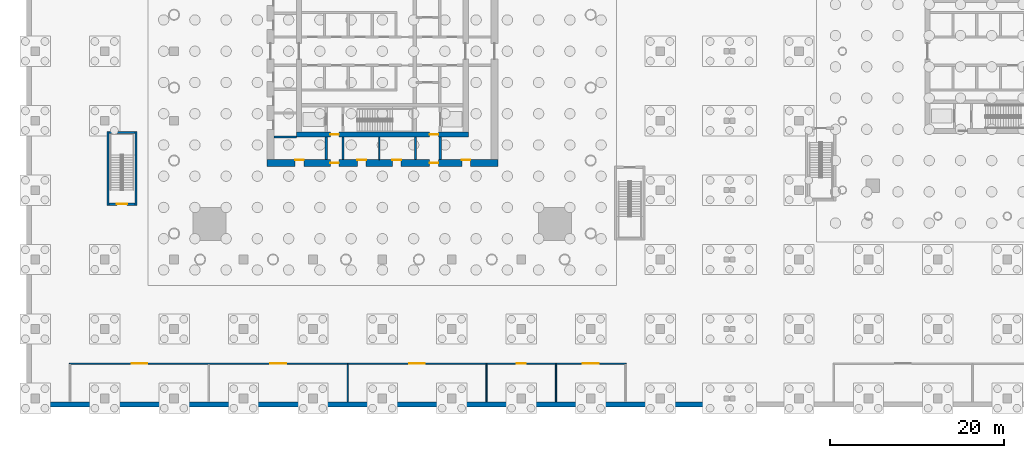
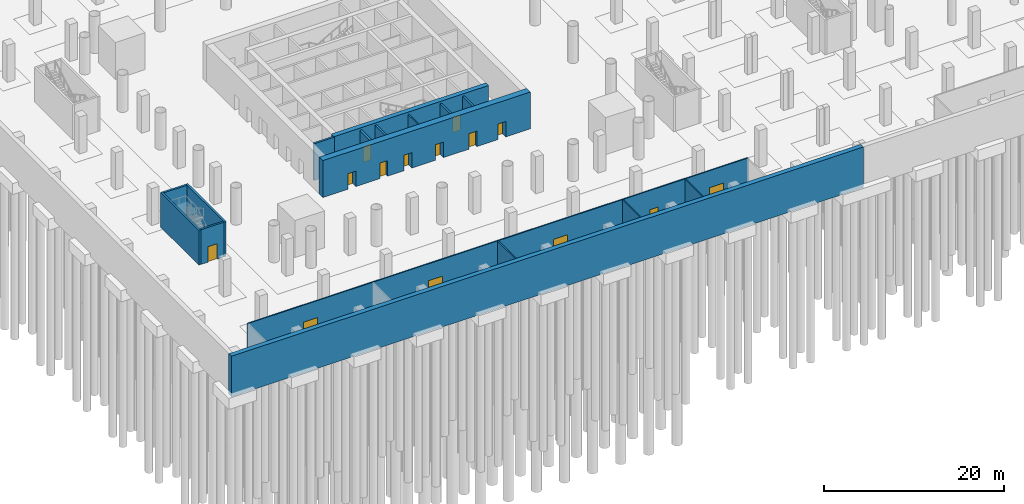
# One storey, part 10 of 24: 17 walls, 14 doors, 14 openings.
"""IFC4 building model written with IfcOpenShell, lengths in metres."""

from ifc_helpers import new_model, si_unit, direction, frame, frame_2d, origin, place, context, subcontext, project, spatial, rectangle, extrude, material, layer, layer_set, type_object, element, fill, save


model = new_model("IFC4")

# Units and contexts
model_context = context("Model", 3, precision=1e-05, world=origin(), true_north=direction((0.0, 1.0)))
body_context = subcontext(model_context, "Body", "Model", "MODEL_VIEW")
ifc_project = project(units=[si_unit("LENGTHUNIT", "METRE"), si_unit("AREAUNIT", "SQUARE_METRE"), si_unit("VOLUMEUNIT", "CUBIC_METRE"), si_unit("PLANEANGLEUNIT", "RADIAN"), si_unit("MASSUNIT", "GRAM", prefix="KILO")], contexts=[model_context])

# Site, building, storey
site_placement = place(None, origin())
site = spatial("IfcSite", under=ifc_project, at=site_placement, CompositionType="ELEMENT")
building_placement = place(site_placement, origin())
building = spatial("IfcBuilding", under=site, at=building_placement, Name="Ostroluk Exchange", CompositionType="ELEMENT")
storey_placement = place(building_placement, frame((0.0, 0.0, -10.0)))
storey = spatial("IfcBuildingStorey", under=building, at=storey_placement, Name="B2", CompositionType="ELEMENT", Elevation=-10.0)

# Walls
ifc_material_1 = material(Name="Concrete C35/45", Category="concrete")
ifc_layer_1 = layer(ifc_material_1, 0.60009765625)
ifc_layer_set_1 = layer_set([ifc_layer_1], Name="Basement retaining wall 600")
wall_type_1 = type_object("IfcWallType", Name="Basement retaining wall 600", PredefinedType="USERDEFINED", material=ifc_layer_set_1)
wall_1_placement = place(storey_placement, frame((4.0, 5.300048828125, -0.5), z_axis=(0.0, 0.0, 1.0), x_axis=(1.0, 0.0, 0.0)))
element("IfcWall", 1, at=wall_1_placement, inside=storey, type_object=wall_type_1, Name="Retaining wall B2 SW", ObjectType="RETAINING WALL", PredefinedType="USERDEFINED", context=body_context, shape_type="SweptSolid", body=[
    extrude(rectangle(XDim=80.97509765625, YDim=0.60009765625, at=frame_2d((40.487548828125, 0.0))), origin(), (0.0, 0.0, 1.0), 5.5),
])
ifc_material_2 = material(Name="Concrete blockwork", Category="masonry")
ifc_layer_2 = layer(ifc_material_2, 0.14990234375)
ifc_layer_set_2 = layer_set([ifc_layer_2], Name="Blockwork plant room wall 150")
wall_type_2 = type_object("IfcWallType", Name="Blockwork plant room wall 150", PredefinedType="SOLIDWALL", material=ifc_layer_set_2)
wall_2_placement = place(storey_placement, frame((44.639892578125, 33.5, 0.0), z_axis=(0.0, 0.0, 1.0), x_axis=(0.0, 1.0, 0.0)))
element("IfcWall", 2, at=wall_2_placement, inside=storey, type_object=wall_type_2, Name="Core room wall", PredefinedType="SOLIDWALL", context=body_context, shape_type="SweptSolid", body=[
    extrude(rectangle(XDim=2.60009765625, YDim=0.14990234375, at=frame_2d((1.300048828125, 0.0))), origin(), (0.0, 0.0, 1.0), 4.699951171875),
])
ifc_material_3 = material(Name="Concrete blockwork", Category="masonry")
ifc_layer_3 = layer(ifc_material_3, 0.25)
ifc_layer_set_3 = layer_set([ifc_layer_3], Name="Blockwork stair enclosure wall 250")
wall_type_3 = type_object("IfcWallType", Name="Blockwork stair enclosure wall 250", PredefinedType="SOLIDWALL", material=ifc_layer_set_3)
for number, where, z_axis, x_axis, name in (
    (3, (38.52490234375, 33.5, 0.0), (0.0, 0.0, 1.0), (0.0, 1.0, 0.0), "Fire lobby enclosure wall"),
    (4, (40.47509765625, 33.5, 0.0), (0.0, 0.0, 1.0), (0.0, 1.0, 0.0), "Fire lobby enclosure wall"),
    (5, (48.804931640625, 33.5, 0.0), (0.0, 0.0, 1.0), (0.0, 1.0, 0.0), "Service lobby enclosure wall"),
    (6, (51.675048828125, 33.5, 0.0), (0.0, 0.0, 1.0), (0.0, 1.0, 0.0), "Service lobby enclosure wall"),
):
    element("IfcWall", number, at=place(storey_placement, frame(where, z_axis=z_axis, x_axis=x_axis)), inside=storey, type_object=wall_type_3, Name=name, PredefinedType="SOLIDWALL", context=body_context, shape_type="SweptSolid", body=[
        extrude(rectangle(XDim=2.60009765625, YDim=0.25, at=frame_2d((1.300048828125, 0.0))), origin(), (0.0, 0.0, 1.0), 4.699951171875),
    ])
for number, where, z_axis, x_axis, name in (
    (7, (13.375, 28.25, 0.0), (0.0, 0.0, 1.0), (0.0, 1.0, 0.0), "Stair PS1 enclosure wall"),
    (8, (16.625, 28.25, 0.0), (0.0, 0.0, 1.0), (0.0, 1.0, 0.0), "Stair PS1 enclosure wall"),
):
    element("IfcWall", number, at=place(storey_placement, frame(where, z_axis=z_axis, x_axis=x_axis)), inside=storey, type_object=wall_type_3, Name=name, PredefinedType="SOLIDWALL", context=body_context, shape_type="SweptSolid", body=[
        extrude(rectangle(XDim=8.5, YDim=0.25, at=frame_2d((4.25, 0.0))), origin(), (0.0, 0.0, 1.0), 4.699951171875),
    ])

# Wall, opening, door
wall_3_placement = place(storey_placement, frame((13.5, 28.375, 0.0), z_axis=(0.0, 0.0, 1.0), x_axis=(1.0, 0.0, 0.0)))
wall_3 = element("IfcWall", 9, at=wall_3_placement, inside=storey, type_object=wall_type_3, Name="Stair PS1 enclosure wall", PredefinedType="SOLIDWALL", context=body_context, shape_type="SweptSolid", body=[
    extrude(rectangle(XDim=3.0, YDim=0.25, at=frame_2d((1.5, 0.0))), origin(), (0.0, 0.0, 1.0), 4.699951171875),
])
opening_1_placement = place(wall_3_placement, frame((0.89990234375, 0.0, 0.0)))
opening_1 = element("IfcOpeningElement", 10, at=opening_1_placement, cuts=wall_3, Name="Opening FD60S", PredefinedType="OPENING", context=body_context, shape_type="SweptSolid", body=[
    extrude(rectangle(XDim=1.199951171875, YDim=2.10009765625, at=frame_2d((0.60009765625, 1.050048828125))), frame((0.0, 0.135009765625, 0.0), z_axis=(0.0, -1.0, 0.0), x_axis=(1.0, 0.0, 0.0)), (0.0, 0.0, 1.0), 0.27001953125),
])
ifc_material_4 = material(Name="Steel", Category="steel")
door_type_1 = type_object("IfcDoorType", Name="Stair door EI 60 1200 x 2100", OperationType="SINGLE_SWING_LEFT", PredefinedType="DOOR", material=ifc_material_4)
door_1_placement = place(opening_1_placement, origin())
door_1 = element("IfcDoor", 11, at=door_1_placement, inside=storey, type_object=door_type_1, Name="Stair PS1 door", OperationType="SINGLE_SWING_LEFT", OverallHeight=2.10009765625, OverallWidth=1.199951171875, PredefinedType="DOOR", context=body_context, shape_type="SweptSolid", body=[
    extrude(rectangle(XDim=1.199951171875, YDim=2.10009765625, at=frame_2d((0.60009765625, 1.050048828125))), frame((0.0, 0.02490234375, 0.0), z_axis=(0.0, -1.0, 0.0), x_axis=(1.0, 0.0, 0.0)), (0.0, 0.0, 1.0), 0.050048828125),
])
fill(opening_1, door_1)

# Walls
wall_4_placement = place(storey_placement, frame((13.5, 36.625, 0.0), z_axis=(0.0, 0.0, 1.0), x_axis=(1.0, 0.0, 0.0)))
element("IfcWall", 12, at=wall_4_placement, inside=storey, type_object=wall_type_3, Name="Stair PS1 enclosure wall", PredefinedType="SOLIDWALL", context=body_context, shape_type="SweptSolid", body=[
    extrude(rectangle(XDim=3.0, YDim=0.25, at=frame_2d((1.5, 0.0))), origin(), (0.0, 0.0, 1.0), 4.699951171875),
])
ifc_material_5 = material(Name="Concrete C40/50", Category="concrete")
ifc_layer_4 = layer(ifc_material_5, 0.25)
ifc_layer_set_4 = layer_set([ifc_layer_4], Name="Core shaft wall 250")
wall_type_4 = type_object("IfcWallType", Name="Core shaft wall 250", PredefinedType="SHEAR", material=ifc_layer_set_4)
wall_5_placement = place(storey_placement, frame((32.5, 36.125, 0.0), z_axis=(0.0, 0.0, 1.0), x_axis=(1.0, 0.0, 0.0)))
element("IfcWall", 13, at=wall_5_placement, inside=storey, type_object=wall_type_4, Name="Lift shaft wall", PredefinedType="SHEAR", context=body_context, shape_type="SweptSolid", body=[
    extrude(rectangle(XDim=2.60009765625, YDim=0.25, at=frame_2d((1.300048828125, 0.0))), origin(), (0.0, 0.0, 1.0), 5.0),
])

# Wall, openings, doors
ifc_material_6 = material(Name="Concrete C50/60", Category="concrete")
ifc_layer_5 = layer(ifc_material_6, 0.60009765625)
ifc_layer_set_5 = layer_set([ifc_layer_5], Name="Core wall 600 C50/60")
wall_type_5 = type_object("IfcWallType", Name="Core wall 600 C50/60", PredefinedType="SHEAR", material=ifc_layer_set_5)
wall_6_placement = place(storey_placement, frame((35.10009765625, 36.39990234375, 0.0), z_axis=(0.0, 0.0, 1.0), x_axis=(1.0, 0.0, 0.0)))
wall_6 = element("IfcWall", 14, at=wall_6_placement, inside=storey, type_object=wall_type_5, Name="T1 core wall S", PredefinedType="SHEAR", context=body_context, shape_type="SweptSolid", body=[
    extrude(rectangle(XDim=19.7998046875, YDim=0.60009765625, at=frame_2d((9.89990234375, 0.0))), origin(), (0.0, 0.0, 1.0), 5.0),
])
opening_2_placement = place(wall_6_placement, frame((3.89990234375, 0.0, 0.0)))
opening_2 = element("IfcOpeningElement", 15, at=opening_2_placement, cuts=wall_6, Name="Opening FD60", PredefinedType="OPENING", context=body_context, shape_type="SweptSolid", body=[
    extrude(rectangle(XDim=1.0, YDim=2.10009765625, at=frame_2d((0.5, 1.050048828125))), frame((0.0, 0.31005859375, 0.0), z_axis=(0.0, -1.0, 0.0), x_axis=(1.0, 0.0, 0.0)), (0.0, 0.0, 1.0), 0.6201171875),
])
opening_3_placement = place(wall_6_placement, frame((15.35009765625, 0.0, 0.0)))
opening_3 = element("IfcOpeningElement", 16, at=opening_3_placement, cuts=wall_6, Name="Opening FD60", PredefinedType="OPENING", context=body_context, shape_type="SweptSolid", body=[
    extrude(rectangle(XDim=1.0, YDim=2.10009765625, at=frame_2d((0.5, 1.050048828125))), frame((0.0, 0.31005859375, 0.0), z_axis=(0.0, -1.0, 0.0), x_axis=(1.0, 0.0, 0.0)), (0.0, 0.0, 1.0), 0.6201171875),
])
ifc_material_7 = material(Name="Steel", Category="steel")
door_type_2 = type_object("IfcDoorType", Name="Fire door EI 60 1000 x 2100", OperationType="SINGLE_SWING_LEFT", PredefinedType="DOOR", material=ifc_material_7)
door_2_placement = place(opening_2_placement, origin())
door_2 = element("IfcDoor", 17, at=door_2_placement, inside=storey, type_object=door_type_2, Name="Firefighting lobby door", OperationType="SINGLE_SWING_LEFT", OverallHeight=2.10009765625, OverallWidth=1.0, PredefinedType="DOOR", context=body_context, shape_type="SweptSolid", body=[
    extrude(rectangle(XDim=1.0, YDim=2.10009765625, at=frame_2d((0.5, 1.050048828125))), frame((0.0, 0.02490234375, 0.0), z_axis=(0.0, -1.0, 0.0), x_axis=(1.0, 0.0, 0.0)), (0.0, 0.0, 1.0), 0.050048828125),
])
fill(opening_2, door_2)
door_3_placement = place(opening_3_placement, origin())
door_3 = element("IfcDoor", 18, at=door_3_placement, inside=storey, type_object=door_type_2, Name="Service lobby door", OperationType="SINGLE_SWING_RIGHT", OverallHeight=2.10009765625, OverallWidth=1.0, PredefinedType="DOOR", context=body_context, shape_type="SweptSolid", body=[
    extrude(rectangle(XDim=1.0, YDim=2.10009765625, at=frame_2d((0.5, 1.050048828125))), frame((0.0, 0.02490234375, 0.0), z_axis=(0.0, -1.0, 0.0), x_axis=(1.0, 0.0, 0.0)), (0.0, 0.0, 1.0), 0.050048828125),
])
fill(opening_3, door_3)

ifc_material_8 = material(Name="Concrete C50/60", Category="concrete")
ifc_layer_6 = layer(ifc_material_8, 0.800048828125)
ifc_layer_set_6 = layer_set([ifc_layer_6], Name="Core wall 800 C50/60")
wall_type_6 = type_object("IfcWallType", Name="Core wall 800 C50/60", PredefinedType="SHEAR", material=ifc_layer_set_6)
wall_7_placement = place(storey_placement, frame((31.699951171875, 33.10009765625, 0.0), z_axis=(0.0, 0.0, 1.0), x_axis=(1.0, 0.0, 0.0)))
wall_7 = element("IfcWall", 19, at=wall_7_placement, inside=storey, type_object=wall_type_6, Name="T1 core wall RS", PredefinedType="SHEAR", context=body_context, shape_type="SweptSolid", body=[
    extrude(rectangle(XDim=26.60009765625, YDim=0.800048828125, at=frame_2d((13.300048828125, 0.0))), origin(), (0.0, 0.0, 1.0), 5.0),
])
opening_4_placement = place(wall_7_placement, frame((7.300048828125, 0.0, 0.0)))
opening_4 = element("IfcOpeningElement", 20, at=opening_4_placement, cuts=wall_7, Name="Opening FD60", PredefinedType="OPENING", context=body_context, shape_type="SweptSolid", body=[
    extrude(rectangle(XDim=1.0, YDim=2.10009765625, at=frame_2d((0.5, 1.050048828125))), frame((0.0, 0.409912109375, 0.0), z_axis=(0.0, -1.0, 0.0), x_axis=(1.0, 0.0, 0.0)), (0.0, 0.0, 1.0), 0.820068359375),
])
opening_5_placement = place(wall_7_placement, frame((18.75, 0.0, 0.0)))
opening_5 = element("IfcOpeningElement", 21, at=opening_5_placement, cuts=wall_7, Name="Opening FD60", PredefinedType="OPENING", context=body_context, shape_type="SweptSolid", body=[
    extrude(rectangle(XDim=1.0, YDim=2.10009765625, at=frame_2d((0.5, 1.050048828125))), frame((0.0, 0.409912109375, 0.0), z_axis=(0.0, -1.0, 0.0), x_axis=(1.0, 0.0, 0.0)), (0.0, 0.0, 1.0), 0.820068359375),
])
opening_6_placement = place(wall_7_placement, frame((3.25, 0.0, 0.0)))
opening_6 = element("IfcOpeningElement", 22, at=opening_6_placement, cuts=wall_7, Name="Opening FD60", PredefinedType="OPENING", context=body_context, shape_type="SweptSolid", body=[
    extrude(rectangle(XDim=1.0, YDim=2.10009765625, at=frame_2d((0.5, 1.050048828125))), frame((0.0, 0.409912109375, 0.0), z_axis=(0.0, -1.0, 0.0), x_axis=(1.0, 0.0, 0.0)), (0.0, 0.0, 1.0), 0.820068359375),
])
opening_7_placement = place(wall_7_placement, frame((10.419921875, 0.0, 0.0)))
opening_7 = element("IfcOpeningElement", 23, at=opening_7_placement, cuts=wall_7, Name="Opening FD60", PredefinedType="OPENING", context=body_context, shape_type="SweptSolid", body=[
    extrude(rectangle(XDim=1.0, YDim=2.10009765625, at=frame_2d((0.5, 1.050048828125))), frame((0.0, 0.409912109375, 0.0), z_axis=(0.0, -1.0, 0.0), x_axis=(1.0, 0.0, 0.0)), (0.0, 0.0, 1.0), 0.820068359375),
])
opening_8_placement = place(wall_7_placement, frame((14.4599609375, 0.0, 0.0)))
opening_8 = element("IfcOpeningElement", 24, at=opening_8_placement, cuts=wall_7, Name="Opening FD60", PredefinedType="OPENING", context=body_context, shape_type="SweptSolid", body=[
    extrude(rectangle(XDim=1.0, YDim=2.10009765625, at=frame_2d((0.5, 1.050048828125))), frame((0.0, 0.409912109375, 0.0), z_axis=(0.0, -1.0, 0.0), x_axis=(1.0, 0.0, 0.0)), (0.0, 0.0, 1.0), 0.820068359375),
])
opening_9_placement = place(wall_7_placement, frame((22.449951171875, 0.0, 0.0)))
opening_9 = element("IfcOpeningElement", 25, at=opening_9_placement, cuts=wall_7, Name="Opening FD60", PredefinedType="OPENING", context=body_context, shape_type="SweptSolid", body=[
    extrude(rectangle(XDim=1.0, YDim=2.10009765625, at=frame_2d((0.5, 1.050048828125))), frame((0.0, 0.409912109375, 0.0), z_axis=(0.0, -1.0, 0.0), x_axis=(1.0, 0.0, 0.0)), (0.0, 0.0, 1.0), 0.820068359375),
])
door_4_placement = place(opening_4_placement, origin())
door_4 = element("IfcDoor", 26, at=door_4_placement, inside=storey, type_object=door_type_2, Name="Firefighting lobby door", OperationType="SINGLE_SWING_LEFT", OverallHeight=2.10009765625, OverallWidth=1.0, PredefinedType="DOOR", context=body_context, shape_type="SweptSolid", body=[
    extrude(rectangle(XDim=1.0, YDim=2.10009765625, at=frame_2d((0.5, 1.050048828125))), frame((0.0, 0.02490234375, 0.0), z_axis=(0.0, -1.0, 0.0), x_axis=(1.0, 0.0, 0.0)), (0.0, 0.0, 1.0), 0.050048828125),
])
fill(opening_4, door_4)
door_5_placement = place(opening_5_placement, origin())
door_5 = element("IfcDoor", 27, at=door_5_placement, inside=storey, type_object=door_type_2, Name="Service lobby door", OperationType="SINGLE_SWING_RIGHT", OverallHeight=2.10009765625, OverallWidth=1.0, PredefinedType="DOOR", context=body_context, shape_type="SweptSolid", body=[
    extrude(rectangle(XDim=1.0, YDim=2.10009765625, at=frame_2d((0.5, 1.050048828125))), frame((0.0, 0.02490234375, 0.0), z_axis=(0.0, -1.0, 0.0), x_axis=(1.0, 0.0, 0.0)), (0.0, 0.0, 1.0), 0.050048828125),
])
fill(opening_5, door_5)
door_6_placement = place(opening_6_placement, origin())
door_6 = element("IfcDoor", 28, at=door_6_placement, inside=storey, type_object=door_type_2, Name="Electrical switch room door", OperationType="SINGLE_SWING_LEFT", OverallHeight=2.10009765625, OverallWidth=1.0, PredefinedType="DOOR", context=body_context, shape_type="SweptSolid", body=[
    extrude(rectangle(XDim=1.0, YDim=2.10009765625, at=frame_2d((0.5, 1.050048828125))), frame((0.0, 0.39013671875, 0.0), z_axis=(0.0, -1.0, 0.0), x_axis=(1.0, 0.0, 0.0)), (0.0, 0.0, 1.0), 0.050048828125),
])
fill(opening_6, door_6)
door_7_placement = place(opening_7_placement, origin())
door_7 = element("IfcDoor", 29, at=door_7_placement, inside=storey, type_object=door_type_2, Name="Waste store door", OperationType="SINGLE_SWING_LEFT", OverallHeight=2.10009765625, OverallWidth=1.0, PredefinedType="DOOR", context=body_context, shape_type="SweptSolid", body=[
    extrude(rectangle(XDim=1.0, YDim=2.10009765625, at=frame_2d((0.5, 1.050048828125))), frame((0.0, 0.39013671875, 0.0), z_axis=(0.0, -1.0, 0.0), x_axis=(1.0, 0.0, 0.0)), (0.0, 0.0, 1.0), 0.050048828125),
])
fill(opening_7, door_7)
door_8_placement = place(opening_8_placement, origin())
door_8 = element("IfcDoor", 30, at=door_8_placement, inside=storey, type_object=door_type_2, Name="Security equipment store door", OperationType="SINGLE_SWING_RIGHT", OverallHeight=2.10009765625, OverallWidth=1.0, PredefinedType="DOOR", context=body_context, shape_type="SweptSolid", body=[
    extrude(rectangle(XDim=1.0, YDim=2.10009765625, at=frame_2d((0.5, 1.050048828125))), frame((0.0, 0.39013671875, 0.0), z_axis=(0.0, -1.0, 0.0), x_axis=(1.0, 0.0, 0.0)), (0.0, 0.0, 1.0), 0.050048828125),
])
fill(opening_8, door_8)
door_9_placement = place(opening_9_placement, origin())
door_9 = element("IfcDoor", 31, at=door_9_placement, inside=storey, type_object=door_type_2, Name="Electrical switch room door", OperationType="SINGLE_SWING_RIGHT", OverallHeight=2.10009765625, OverallWidth=1.0, PredefinedType="DOOR", context=body_context, shape_type="SweptSolid", body=[
    extrude(rectangle(XDim=1.0, YDim=2.10009765625, at=frame_2d((0.5, 1.050048828125))), frame((0.0, 0.39013671875, 0.0), z_axis=(0.0, -1.0, 0.0), x_axis=(1.0, 0.0, 0.0)), (0.0, 0.0, 1.0), 0.050048828125),
])
fill(opening_9, door_9)

ifc_material_9 = material(Name="Gypsum plasterboard partition", Category="gypsum")
ifc_layer_7 = layer(ifc_material_9, 0.14990234375)
ifc_layer_set_7 = layer_set([ifc_layer_7], Name="Plasterboard partition 150")
wall_type_7 = type_object("IfcWallType", Name="Plasterboard partition 150", PredefinedType="PARTITIONING", material=ifc_layer_set_7)
wall_8_placement = place(storey_placement, frame((8.925048828125, 10.0, 0.0), z_axis=(0.0, 0.0, 1.0), x_axis=(1.0, 0.0, 0.0)))
wall_8 = element("IfcWall", 32, at=wall_8_placement, inside=storey, type_object=wall_type_7, Name="Partition", PredefinedType="PARTITIONING", context=body_context, shape_type="SweptSolid", body=[
    extrude(rectangle(XDim=64.14990234375, YDim=0.14990234375, at=frame_2d((32.074951171875, 0.0))), origin(), (0.0, 0.0, 1.0), 4.699951171875),
])
opening_10_placement = place(wall_8_placement, frame((7.175048828125, 0.0, 0.0)))
opening_10 = element("IfcOpeningElement", 33, at=opening_10_placement, cuts=wall_8, Name="Opening D-05", PredefinedType="OPENING", context=body_context, shape_type="SweptSolid", body=[
    extrude(rectangle(XDim=1.800048828125, YDim=2.39990234375, at=frame_2d((0.89990234375, 1.199951171875))), frame((0.0, 0.0849609375, 0.0), z_axis=(0.0, -1.0, 0.0), x_axis=(1.0, 0.0, 0.0)), (0.0, 0.0, 1.0), 0.169921875),
])
opening_11_placement = place(wall_8_placement, frame((23.175048828125, 0.0, 0.0)))
opening_11 = element("IfcOpeningElement", 34, at=opening_11_placement, cuts=wall_8, Name="Opening D-04", PredefinedType="OPENING", context=body_context, shape_type="SweptSolid", body=[
    extrude(rectangle(XDim=1.800048828125, YDim=2.39990234375, at=frame_2d((0.89990234375, 1.199951171875))), frame((0.0, 0.0849609375, 0.0), z_axis=(0.0, -1.0, 0.0), x_axis=(1.0, 0.0, 0.0)), (0.0, 0.0, 1.0), 0.169921875),
])
opening_12_placement = place(wall_8_placement, frame((39.175048828125, 0.0, 0.0)))
opening_12 = element("IfcOpeningElement", 35, at=opening_12_placement, cuts=wall_8, Name="Opening D-05", PredefinedType="OPENING", context=body_context, shape_type="SweptSolid", body=[
    extrude(rectangle(XDim=1.800048828125, YDim=2.39990234375, at=frame_2d((0.89990234375, 1.199951171875))), frame((0.0, 0.0849609375, 0.0), z_axis=(0.0, -1.0, 0.0), x_axis=(1.0, 0.0, 0.0)), (0.0, 0.0, 1.0), 0.169921875),
])
opening_13_placement = place(wall_8_placement, frame((51.574951171875, 0.0, 0.0)))
opening_13 = element("IfcOpeningElement", 36, at=opening_13_placement, cuts=wall_8, Name="Opening D-03", PredefinedType="OPENING", context=body_context, shape_type="SweptSolid", body=[
    extrude(rectangle(XDim=1.0, YDim=2.10009765625, at=frame_2d((0.5, 1.050048828125))), frame((0.0, 0.0849609375, 0.0), z_axis=(0.0, -1.0, 0.0), x_axis=(1.0, 0.0, 0.0)), (0.0, 0.0, 1.0), 0.169921875),
])
opening_14_placement = place(wall_8_placement, frame((59.175048828125, 0.0, 0.0)))
opening_14 = element("IfcOpeningElement", 37, at=opening_14_placement, cuts=wall_8, Name="Opening D-04", PredefinedType="OPENING", context=body_context, shape_type="SweptSolid", body=[
    extrude(rectangle(XDim=1.800048828125, YDim=2.39990234375, at=frame_2d((0.89990234375, 1.199951171875))), frame((0.0, 0.0849609375, 0.0), z_axis=(0.0, -1.0, 0.0), x_axis=(1.0, 0.0, 0.0)), (0.0, 0.0, 1.0), 0.169921875),
])
ifc_material_10 = material(Name="Timber", Category="wood")
door_type_3 = type_object("IfcDoorType", Name="Double door 1800 x 2400", OperationType="DOUBLE_DOOR_SINGLE_SWING", PredefinedType="DOOR", material=ifc_material_10)
door_10_placement = place(opening_11_placement, origin())
door_10 = element("IfcDoor", 38, at=door_10_placement, inside=storey, type_object=door_type_3, Name="Standby generator plant room door", OperationType="DOUBLE_DOOR_SINGLE_SWING", OverallHeight=2.39990234375, OverallWidth=1.800048828125, PredefinedType="DOOR", context=body_context, shape_type="SweptSolid", body=[
    extrude(rectangle(XDim=1.800048828125, YDim=2.39990234375, at=frame_2d((0.89990234375, 1.199951171875))), frame((0.0, 0.02490234375, 0.0), z_axis=(0.0, -1.0, 0.0), x_axis=(1.0, 0.0, 0.0)), (0.0, 0.0, 1.0), 0.050048828125),
])
fill(opening_11, door_10)
door_11_placement = place(opening_14_placement, origin())
door_11 = element("IfcDoor", 39, at=door_11_placement, inside=storey, type_object=door_type_3, Name="Bicycle store door", OperationType="DOUBLE_DOOR_SINGLE_SWING", OverallHeight=2.39990234375, OverallWidth=1.800048828125, PredefinedType="DOOR", context=body_context, shape_type="SweptSolid", body=[
    extrude(rectangle(XDim=1.800048828125, YDim=2.39990234375, at=frame_2d((0.89990234375, 1.199951171875))), frame((0.0, 0.02490234375, 0.0), z_axis=(0.0, -1.0, 0.0), x_axis=(1.0, 0.0, 0.0)), (0.0, 0.0, 1.0), 0.050048828125),
])
fill(opening_14, door_11)
ifc_material_11 = material(Name="Timber", Category="wood")
door_type_4 = type_object("IfcDoorType", Name="Internal door 1000 x 2100", OperationType="SINGLE_SWING_LEFT", PredefinedType="DOOR", material=ifc_material_11)
door_12_placement = place(opening_13_placement, origin())
door_12 = element("IfcDoor", 40, at=door_12_placement, inside=storey, type_object=door_type_4, Name="Refuse store door", OperationType="SINGLE_SWING_RIGHT", OverallHeight=2.10009765625, OverallWidth=1.0, PredefinedType="DOOR", context=body_context, shape_type="SweptSolid", body=[
    extrude(rectangle(XDim=1.0, YDim=2.10009765625, at=frame_2d((0.5, 1.050048828125))), frame((0.0, 0.02490234375, 0.0), z_axis=(0.0, -1.0, 0.0), x_axis=(1.0, 0.0, 0.0)), (0.0, 0.0, 1.0), 0.050048828125),
])
fill(opening_13, door_12)
ifc_material_12 = material(Name="Steel", Category="steel")
door_type_5 = type_object("IfcDoorType", Name="Plant room double door EI 60 1800 x 2400", OperationType="DOUBLE_DOOR_SINGLE_SWING", PredefinedType="DOOR", material=ifc_material_12)
door_13_placement = place(opening_10_placement, origin())
door_13 = element("IfcDoor", 41, at=door_13_placement, inside=storey, type_object=door_type_5, Name="Electrical substation door", OperationType="DOUBLE_DOOR_SINGLE_SWING", OverallHeight=2.39990234375, OverallWidth=1.800048828125, PredefinedType="DOOR", context=body_context, shape_type="SweptSolid", body=[
    extrude(rectangle(XDim=1.800048828125, YDim=2.39990234375, at=frame_2d((0.89990234375, 1.199951171875))), frame((0.0, 0.02490234375, 0.0), z_axis=(0.0, -1.0, 0.0), x_axis=(1.0, 0.0, 0.0)), (0.0, 0.0, 1.0), 0.050048828125),
])
fill(opening_10, door_13)
door_14_placement = place(opening_12_placement, origin())
door_14 = element("IfcDoor", 42, at=door_14_placement, inside=storey, type_object=door_type_5, Name="Sprinkler and water tank room door", OperationType="DOUBLE_DOOR_SINGLE_SWING", OverallHeight=2.39990234375, OverallWidth=1.800048828125, PredefinedType="DOOR", context=body_context, shape_type="SweptSolid", body=[
    extrude(rectangle(XDim=1.800048828125, YDim=2.39990234375, at=frame_2d((0.89990234375, 1.199951171875))), frame((0.0, 0.02490234375, 0.0), z_axis=(0.0, -1.0, 0.0), x_axis=(1.0, 0.0, 0.0)), (0.0, 0.0, 1.0), 0.050048828125),
])
fill(opening_12, door_14)

# Walls
for number, where, z_axis, x_axis, name in (
    (43, (41.0, 9.925048828125, 0.0), (0.0, 0.0, 1.0), (0.0, -1.0, 0.0), "Partition"),
    (44, (57.0, 9.925048828125, 0.0), (0.0, 0.0, 1.0), (0.0, -1.0, 0.0), "Partition"),
    (45, (65.0, 9.925048828125, 0.0), (0.0, 0.0, 1.0), (0.0, -1.0, 0.0), "Partition"),
):
    element("IfcWall", number, at=place(storey_placement, frame(where, z_axis=z_axis, x_axis=x_axis)), inside=storey, type_object=wall_type_7, Name=name, PredefinedType="PARTITIONING", context=body_context, shape_type="SweptSolid", body=[
        extrude(rectangle(XDim=4.324951171875, YDim=0.14990234375, at=frame_2d((2.16259765625, 0.0))), origin(), (0.0, 0.0, 1.0), 4.699951171875),
    ])

save(model, "model.ifc")
